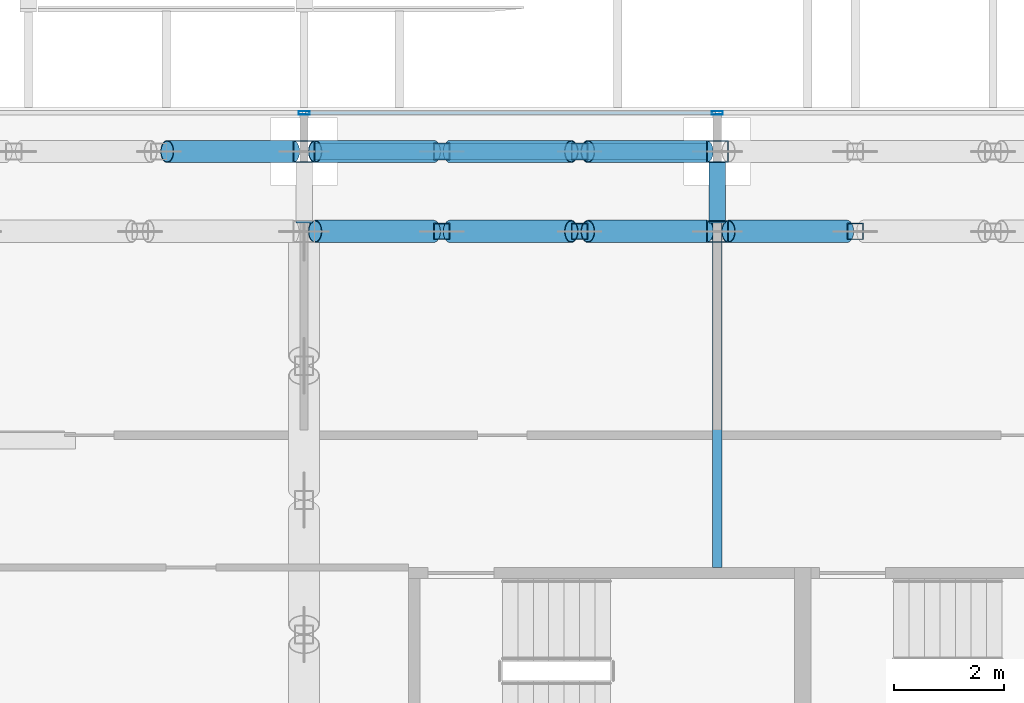
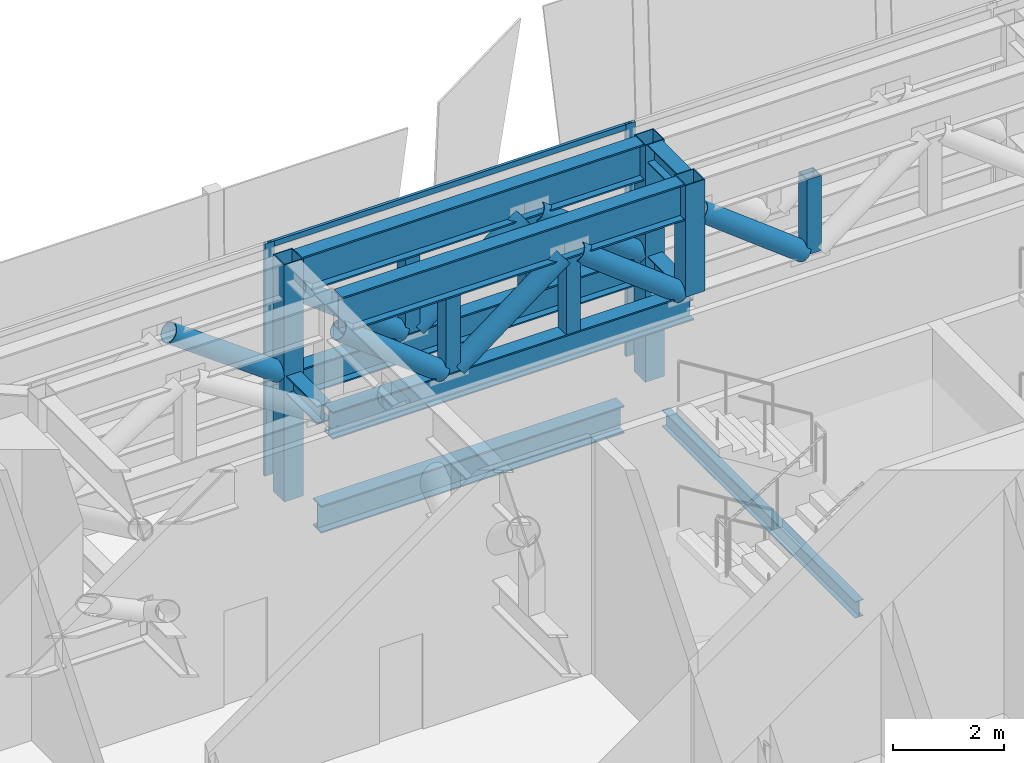
# One storey, part 20 of 39: 23 members, 5 beams, 1 element without a shape of its own.
"""IFC4 building model written with IfcOpenShell, lengths in metres."""

from ifc_helpers import new_model, si_unit, direction, frame, origin, origin_2d, place, context, subcontext, project, spatial, hollow_rectangle, hollow_circle, i_section, extrude, source, transform, mapped, material, material_profile, profile_set, type_object, element, aggregate, save


model = new_model("IFC4")

# Units and contexts
model_context = context("Model", 3, precision=1e-05, world=origin(), true_north=direction((0.0, 1.0)))
body_context = subcontext(model_context, "Body", "Model", "MODEL_VIEW")
ifc_project = project(units=[si_unit("LENGTHUNIT", "METRE"), si_unit("AREAUNIT", "SQUARE_METRE"), si_unit("VOLUMEUNIT", "CUBIC_METRE"), si_unit("PLANEANGLEUNIT", "RADIAN"), si_unit("MASSUNIT", "GRAM", prefix="KILO")], contexts=[model_context])

# Site, building, storey
site_placement = place(None, origin())
site = spatial("IfcSite", under=ifc_project, at=site_placement, CompositionType="ELEMENT")
building_placement = place(site_placement, origin())
building = spatial("IfcBuilding", under=site, at=building_placement, Name="Khomas Fold Tower", CompositionType="ELEMENT")
storey_placement = place(building_placement, frame((0.0, 0.0, 96.0)))
storey = spatial("IfcBuildingStorey", under=building, at=storey_placement, Name="L20", CompositionType="ELEMENT", Elevation=96.0)

# Beams
ifc_material_1 = material(Name="Steel S355", Category="steel")
ifc_material_profile_1 = material_profile(ifc_material_1, i_section(OverallWidth=0.169921875, OverallDepth=0.360107421875, WebThickness=0.008056640625, FlangeThickness=0.0126953125, at=origin_2d()), Name="IPE 360")
ifc_profile_set_1 = profile_set([ifc_material_profile_1], Name="Steel S355")
beam_type_1 = type_object("IfcBeamType", Name="IPE 360 beam JB2", PredefinedType="BEAM", material=ifc_profile_set_1)
shared_shape_1 = source(origin(), body_context, "Body", "SweptSolid", [
    extrude(i_section(OverallWidth=0.169921875, OverallDepth=0.360107421875, WebThickness=0.008056640625, FlangeThickness=0.0126953125, at=origin_2d()), origin(), (0.0, 0.0, 1.0), 6.9501953125),
])
beam_1_placement = place(storey_placement, frame((19.5, 45.64990234375, -0.580078125), z_axis=(0.0, 1.0, 0.0), x_axis=(-1.0, 0.0, 0.0)))
element("IfcBeam", 1, at=beam_1_placement, inside=storey, type_object=beam_type_1, Name="JB2", PredefinedType="BEAM", context=body_context, shape_type="MappedRepresentation", body=[
    mapped(shared_shape_1, transform((0.0, 0.0, 0.0))),
])
ifc_material_2 = material(Name="Steel S355", Category="steel")
ifc_material_profile_2 = material_profile(ifc_material_2, i_section(OverallWidth=0.300048828125, OverallDepth=0.60009765625, WebThickness=0.015380859375, FlangeThickness=0.030029296875, at=origin_2d()), Name="HE 600 B")
ifc_profile_set_2 = profile_set([ifc_material_profile_2], Name="Steel S355")
beam_type_2 = type_object("IfcBeamType", Name="HE 600 B spandrel SB1", PredefinedType="SPANDREL", material=ifc_profile_set_2)
shared_shape_2 = source(origin(), body_context, "Body", "SweptSolid", [
    extrude(i_section(OverallWidth=0.300048828125, OverallDepth=0.60009765625, WebThickness=0.015380859375, FlangeThickness=0.030029296875, at=origin_2d()), origin(), (0.0, 0.0, 1.0), 6.2998046875),
])
beam_2_placement = place(storey_placement, frame((12.60009765625, 53.199951171875, -0.699951171875), z_axis=(1.0, 0.0, 0.0), x_axis=(0.0, 1.0, 0.0)))
element("IfcBeam", 2, at=beam_2_placement, inside=storey, type_object=beam_type_2, Name="SB1", PredefinedType="SPANDREL", context=body_context, shape_type="MappedRepresentation", body=[
    mapped(shared_shape_2, transform((0.0, 0.0, 0.0))),
])

# Members
ifc_material_3 = material(Name="Steel S355", Category="steel")
ifc_material_profile_3 = material_profile(ifc_material_3, i_section(OverallWidth=0.300048828125, OverallDepth=0.60009765625, WebThickness=0.015380859375, FlangeThickness=0.030029296875, at=origin_2d()), Name="HE 600 B")
ifc_profile_set_3 = profile_set([ifc_material_profile_3], Name="Steel S355")
member_type_1 = type_object("IfcMemberType", Name="BELT TRUSS 1 BOTTOM CHORD HE 600 B", PredefinedType="CHORD", material=ifc_profile_set_3)
shared_shape_3 = source(origin(), body_context, "Body", "SweptSolid", [
    extrude(i_section(OverallWidth=0.300048828125, OverallDepth=0.60009765625, WebThickness=0.015380859375, FlangeThickness=0.030029296875, at=origin_2d()), origin(), (0.0, 0.0, 1.0), 7.5),
])
member_1_placement = place(storey_placement, frame((19.5, 51.75, 2.449951171875), z_axis=(-1.0, 0.0, 0.0), x_axis=(0.0, -1.0, 0.0)))
element("IfcMember", 3, at=member_1_placement, inside=storey, type_object=member_type_1, Name="BT1-CB", PredefinedType="CHORD", context=body_context, shape_type="MappedRepresentation", body=[
    mapped(shared_shape_3, transform((0.0, 0.0, 0.0))),
])
ifc_material_4 = material(Name="Steel S355", Category="steel")
ifc_material_profile_4 = material_profile(ifc_material_4, hollow_circle(Radius=0.203125, WallThickness=0.01611328125, at=origin_2d()), Name="CHS 406.4x16")
ifc_profile_set_4 = profile_set([ifc_material_profile_4], Name="Steel S355")
member_type_2 = type_object("IfcMemberType", Name="BELT TRUSS 1 DIAGONAL CHS 406.4x16", PredefinedType="BRACE", material=ifc_profile_set_4)
shared_shape_4 = source(origin(), body_context, "Body", "SweptSolid", [
    extrude(hollow_circle(Radius=0.203125, WallThickness=0.01611328125, at=origin_2d()), origin(), (0.0, 0.0, 1.0), 2.822998046875),
])
member_2_placement = place(storey_placement, frame((11.800048828125, 53.199951171875, 2.7451171875), z_axis=(-0.808866956084, 0.0, 0.587991706876), x_axis=(0.0, -1.0, 0.0)))
element("IfcMember", 4, at=member_2_placement, inside=storey, type_object=member_type_2, Name="BT1-D", PredefinedType="BRACE", context=body_context, shape_type="MappedRepresentation", body=[
    mapped(shared_shape_4, transform((0.0, 0.0, 0.0))),
])
ifc_material_5 = material(Name="Steel S355", Category="steel")
ifc_material_profile_5 = material_profile(ifc_material_5, hollow_rectangle(XDim=0.300048828125, YDim=0.300048828125, WallThickness=0.01611328125, at=origin_2d()), Name="SHS 300x300x16")
ifc_profile_set_5 = profile_set([ifc_material_profile_5], Name="Steel S355")
member_type_3 = type_object("IfcMemberType", Name="BELT TRUSS 1 MID POST SHS 300x300x16", PredefinedType="POST", material=ifc_profile_set_5)
shared_shape_5 = source(origin(), body_context, "Body", "SweptSolid", [
    extrude(hollow_rectangle(XDim=0.300048828125, YDim=0.300048828125, WallThickness=0.01611328125, at=origin_2d()), origin(), (0.0, 0.0, 1.0), 1.64990234375),
])
for number, where, z_axis, x_axis, name in (
    (5, (17.0, 53.199951171875, 2.75), (0.0, 0.0, 1.0), (1.0, 0.0, 0.0), "BT1-M"),
    (6, (14.5, 53.199951171875, 2.75), (0.0, 0.0, 1.0), (1.0, 0.0, 0.0), "BT1-M"),
    (7, (22.0, 51.75, 2.75), (0.0, 0.0, 1.0), (1.0, 0.0, 0.0), "BT1-M"),
    (8, (17.0, 51.75, 2.75), (0.0, 0.0, 1.0), (1.0, 0.0, 0.0), "BT1-M"),
    (9, (14.5, 51.75, 2.75), (0.0, 0.0, 1.0), (1.0, 0.0, 0.0), "BT1-M"),
):
    element("IfcMember", number, at=place(storey_placement, frame(where, z_axis=z_axis, x_axis=x_axis)), inside=storey, type_object=member_type_3, Name=name, PredefinedType="POST", context=body_context, shape_type="MappedRepresentation", body=[
        mapped(shared_shape_5, transform((0.0, 0.0, 0.0))),
    ])
ifc_material_6 = material(Name="Steel S460M", Category="steel")
ifc_material_profile_6 = material_profile(ifc_material_6, i_section(OverallWidth=0.300048828125, OverallDepth=0.800048828125, WebThickness=0.017578125, FlangeThickness=0.032958984375, at=origin_2d()), Name="HE 800 B")
ifc_profile_set_6 = profile_set([ifc_material_profile_6], Name="Steel S460M")
member_type_4 = type_object("IfcMemberType", Name="BELT TRUSS 1 TOP CHORD HE 800 B", PredefinedType="CHORD", material=ifc_profile_set_6)
shared_shape_6 = source(origin(), body_context, "Body", "SweptSolid", [
    extrude(i_section(OverallWidth=0.300048828125, OverallDepth=0.800048828125, WebThickness=0.017578125, FlangeThickness=0.032958984375, at=origin_2d()), origin(), (0.0, 0.0, 1.0), 7.10009765625),
])
for number, where, z_axis, x_axis, name in (
    (10, (19.300048828125, 53.199951171875, 4.800048828125), (-1.0, 0.0, 0.0), (0.0, -1.0, 0.0), "BT1-CT"),
    (11, (19.300048828125, 51.75, 4.800048828125), (-1.0, 0.0, 0.0), (0.0, -1.0, 0.0), "BT1-CT"),
):
    element("IfcMember", number, at=place(storey_placement, frame(where, z_axis=z_axis, x_axis=x_axis)), inside=storey, type_object=member_type_4, Name=name, PredefinedType="CHORD", context=body_context, shape_type="MappedRepresentation", body=[
        mapped(shared_shape_6, transform((0.0, 0.0, 0.0))),
    ])
shared_shape_7 = source(origin(), body_context, "Body", "SweptSolid", [
    extrude(i_section(OverallWidth=0.300048828125, OverallDepth=0.60009765625, WebThickness=0.015380859375, FlangeThickness=0.030029296875, at=origin_2d()), origin(), (0.0, 0.0, 1.0), 7.10009765625),
])
member_3_placement = place(storey_placement, frame((19.300048828125, 53.199951171875, 2.449951171875), z_axis=(-1.0, 0.0, 0.0), x_axis=(0.0, -1.0, 0.0)))
element("IfcMember", 12, at=member_3_placement, inside=storey, type_object=member_type_1, Name="BT1-CB", PredefinedType="CHORD", context=body_context, shape_type="MappedRepresentation", body=[
    mapped(shared_shape_7, transform((0.0, 0.0, 0.0))),
])
shared_shape_8 = source(origin(), body_context, "Body", "SweptSolid", [
    extrude(hollow_circle(Radius=0.203125, WallThickness=0.01611328125, at=origin_2d()), origin(), (0.0, 0.0, 1.0), 2.71630859375),
])
for number, where, z_axis, x_axis, name in (
    (13, (19.300048828125, 53.199951171875, 2.7451171875), (-0.791563625226, 0.0, 0.611086759159), (0.0, -1.0, 0.0), "BT1-D"),
    (14, (14.35009765625, 53.199951171875, 2.7451171875), (-0.791563625226, 0.0, 0.611086759159), (0.0, -1.0, 0.0), "BT1-D"),
    (15, (21.85009765625, 51.75, 2.7451171875), (-0.791563625226, 0.0, 0.611086759159), (0.0, -1.0, 0.0), "BT1-D"),
    (16, (19.300048828125, 51.75, 2.7451171875), (-0.791563625226, 0.0, 0.611086759159), (0.0, -1.0, 0.0), "BT1-D"),
    (17, (14.35009765625, 51.75, 2.7451171875), (-0.791563625226, 0.0, 0.611086759159), (0.0, -1.0, 0.0), "BT1-D"),
):
    element("IfcMember", number, at=place(storey_placement, frame(where, z_axis=z_axis, x_axis=x_axis)), inside=storey, type_object=member_type_2, Name=name, PredefinedType="BRACE", context=body_context, shape_type="MappedRepresentation", body=[
        mapped(shared_shape_8, transform((0.0, 0.0, 0.0))),
    ])
shared_shape_9 = source(origin(), body_context, "Body", "SweptSolid", [
    extrude(hollow_circle(Radius=0.203125, WallThickness=0.01611328125, at=origin_2d()), origin(), (0.0, 0.0, 1.0), 2.756103515625),
])
for number, where, z_axis, x_axis, name in (
    (18, (16.85009765625, 53.199951171875, 4.405029296875), (-0.798296022167, 0.0, -0.602265274602), (0.0, -1.0, 0.0), "BT1-D"),
    (19, (16.85009765625, 51.75, 4.405029296875), (-0.798296022167, 0.0, -0.602265274602), (0.0, -1.0, 0.0), "BT1-D"),
):
    element("IfcMember", number, at=place(storey_placement, frame(where, z_axis=z_axis, x_axis=x_axis)), inside=storey, type_object=member_type_2, Name=name, PredefinedType="BRACE", context=body_context, shape_type="MappedRepresentation", body=[
        mapped(shared_shape_9, transform((0.0, 0.0, 0.0))),
    ])
ifc_material_7 = material(Name="Steel S460M", Category="steel")
ifc_material_profile_7 = material_profile(ifc_material_7, hollow_rectangle(XDim=0.39990234375, YDim=0.39990234375, WallThickness=0.02001953125, at=origin_2d()), Name="SHS 400x400x20")
ifc_profile_set_7 = profile_set([ifc_material_profile_7], Name="Steel S460M")
member_type_5 = type_object("IfcMemberType", Name="BELT TRUSS 1 COLUMN POST LONG SHS 400x400x20", PredefinedType="POST", material=ifc_profile_set_7)
shared_shape_10 = source(origin(), body_context, "Body", "SweptSolid", [
    extrude(hollow_rectangle(XDim=0.39990234375, YDim=0.39990234375, WallThickness=0.02001953125, at=origin_2d()), origin(), (0.0, 0.0, 1.0), 5.199951171875),
])
for number, where, z_axis, x_axis, name in (
    (20, (19.5, 53.199951171875, 0.0), (0.0, 0.0, 1.0), (1.0, 0.0, 0.0), "BT1-PL"),
    (21, (12.0, 53.199951171875, 0.0), (0.0, 0.0, 1.0), (1.0, 0.0, 0.0), "BT1-PL"),
):
    element("IfcMember", number, at=place(storey_placement, frame(where, z_axis=z_axis, x_axis=x_axis)), inside=storey, type_object=member_type_5, Name=name, PredefinedType="POST", context=body_context, shape_type="MappedRepresentation", body=[
        mapped(shared_shape_10, transform((0.0, 0.0, 0.0))),
    ])
ifc_material_8 = material(Name="Steel S460M", Category="steel")
ifc_material_profile_8 = material_profile(ifc_material_8, hollow_rectangle(XDim=0.39990234375, YDim=0.39990234375, WallThickness=0.02001953125, at=origin_2d()), Name="SHS 400x400x20")
ifc_profile_set_8 = profile_set([ifc_material_profile_8], Name="Steel S460M")
member_type_6 = type_object("IfcMemberType", Name="BELT TRUSS 1 COLUMN POST SHS 400x400x20", PredefinedType="POST", material=ifc_profile_set_8)
shared_shape_11 = source(origin(), body_context, "Body", "SweptSolid", [
    extrude(hollow_rectangle(XDim=0.39990234375, YDim=0.39990234375, WallThickness=0.02001953125, at=origin_2d()), origin(), (0.0, 0.0, 1.0), 2.449951171875),
])
member_4_placement = place(storey_placement, frame((19.5, 51.75, 2.75), z_axis=(0.0, 0.0, 1.0), x_axis=(1.0, 0.0, 0.0)))
element("IfcMember", 22, at=member_4_placement, inside=storey, type_object=member_type_6, Name="BT1-P", PredefinedType="POST", context=body_context, shape_type="MappedRepresentation", body=[
    mapped(shared_shape_11, transform((0.0, 0.0, 0.0))),
])

# Beams
ifc_material_9 = material(Name="Steel S355", Category="steel")
ifc_material_profile_9 = material_profile(ifc_material_9, i_section(OverallWidth=0.300048828125, OverallDepth=0.39990234375, WebThickness=0.013427734375, FlangeThickness=0.02392578125, at=origin_2d()), Name="HE 400 B")
ifc_profile_set_9 = profile_set([ifc_material_profile_9], Name="Steel S355")
beam_type_3 = type_object("IfcBeamType", Name="BELT TRUSS 1 TOP STRUT HE 400 B", PredefinedType="BEAM", material=ifc_profile_set_9)
shared_shape_12 = source(origin(), body_context, "Body", "SweptSolid", [
    extrude(i_section(OverallWidth=0.300048828125, OverallDepth=0.39990234375, WebThickness=0.013427734375, FlangeThickness=0.02392578125, at=origin_2d()), origin(), (0.0, 0.0, 1.0), 1.050048828125),
])
beam_3_placement = place(storey_placement, frame((19.5, 51.949951171875, 5.0), z_axis=(0.0, 1.0, 0.0), x_axis=(-1.0, 0.0, 0.0)))
element("IfcBeam", 23, at=beam_3_placement, inside=storey, type_object=beam_type_3, Name="BT1-ST", PredefinedType="BEAM", context=body_context, shape_type="MappedRepresentation", body=[
    mapped(shared_shape_12, transform((0.0, 0.0, 0.0))),
])
ifc_material_10 = material(Name="Steel S355", Category="steel")
ifc_material_profile_10 = material_profile(ifc_material_10, i_section(OverallWidth=0.300048828125, OverallDepth=0.39990234375, WebThickness=0.013427734375, FlangeThickness=0.02392578125, at=origin_2d()), Name="HE 400 B")
ifc_profile_set_10 = profile_set([ifc_material_profile_10], Name="Steel S355")
beam_type_4 = type_object("IfcBeamType", Name="BELT TRUSS 1 BOTTOM STRUT HE 400 B", PredefinedType="BEAM", material=ifc_profile_set_10)
shared_shape_13 = source(origin(), body_context, "Body", "SweptSolid", [
    extrude(i_section(OverallWidth=0.300048828125, OverallDepth=0.39990234375, WebThickness=0.013427734375, FlangeThickness=0.02392578125, at=origin_2d()), origin(), (0.0, 0.0, 1.0), 1.10009765625),
])
for number, where, z_axis, x_axis, name in (
    (24, (12.0, 51.89990234375, 2.550048828125), (0.0, 1.0, 0.0), (-1.0, 0.0, 0.0), "BT1-SB"),
    (25, (19.5, 51.89990234375, 2.550048828125), (0.0, 1.0, 0.0), (-1.0, 0.0, 0.0), "BT1-SB"),
):
    element("IfcBeam", number, at=place(storey_placement, frame(where, z_axis=z_axis, x_axis=x_axis)), inside=storey, type_object=beam_type_4, Name=name, PredefinedType="BEAM", context=body_context, shape_type="MappedRepresentation", body=[
        mapped(shared_shape_13, transform((0.0, 0.0, 0.0))),
    ])

# Curtain wall, members
ifc_material_11 = material(Name="Aluminium framed double glazing", Category="aluminium")
curtain_wall_type = type_object("IfcCurtainWallType", Name="SK-Plant louvre wall CW4", PredefinedType="NOTDEFINED", material=ifc_material_11)
curtain_wall_placement = place(storey_placement, origin())
curtain_wall = element("IfcCurtainWall", 26, at=curtain_wall_placement, inside=storey, type_object=curtain_wall_type, Name="CW4 run L20 06-0", PredefinedType="NOTDEFINED")
ifc_material_12 = material(Name="Aluminium", Category="aluminium")
ifc_material_profile_11 = material_profile(ifc_material_12, hollow_rectangle(XDim=0.06005859375, YDim=0.199951171875, WallThickness=0.00390625, at=origin_2d()), Name="SK-Plant louvre wall mullion CW4-M")
ifc_profile_set_11 = profile_set([ifc_material_profile_11], Name="Aluminium")
member_type_7 = type_object("IfcMemberType", Name="SK-Plant louvre wall mullion CW4-M", PredefinedType="MULLION", material=ifc_profile_set_11)
shared_shape_14 = source(origin(), body_context, "Body", "SweptSolid", [
    extrude(hollow_rectangle(XDim=0.06005859375, YDim=0.199951171875, WallThickness=0.00390625, at=origin_2d()), origin(), (0.0, 0.0, 1.0), 5.10009765625),
])
member_5_placement = place(storey_placement, frame((19.5, 53.89990234375, 0.0), z_axis=(0.0, 0.0, 1.0), x_axis=(0.0, -1.0, 0.0)))
member_5 = element("IfcMember", 27, at=member_5_placement, type_object=member_type_7, Name="CW4 mullion 6", PredefinedType="MULLION", context=body_context, shape_type="MappedRepresentation", body=[
    mapped(shared_shape_14, transform((0.0, 0.0, 0.0))),
])
member_6_placement = place(storey_placement, frame((12.0, 53.89990234375, 0.0), z_axis=(0.0, 0.0, 1.0), x_axis=(0.0, -1.0, 0.0)))
member_6 = element("IfcMember", 28, at=member_6_placement, type_object=member_type_7, Name="CW4 mullion 7", PredefinedType="MULLION", context=body_context, shape_type="MappedRepresentation", body=[
    mapped(shared_shape_14, transform((0.0, 0.0, 0.0))),
])
ifc_material_13 = material(Name="Aluminium", Category="aluminium")
ifc_material_profile_12 = material_profile(ifc_material_13, hollow_rectangle(XDim=0.06005859375, YDim=0.1201171875, WallThickness=0.00390625, at=origin_2d()), Name="SK-Plant louvre wall transom CW4-T")
ifc_profile_set_12 = profile_set([ifc_material_profile_12], Name="Aluminium")
member_type_8 = type_object("IfcMemberType", Name="SK-Plant louvre wall transom CW4-T", PredefinedType="USERDEFINED", material=ifc_profile_set_12)
shared_shape_15 = source(origin(), body_context, "Body", "SweptSolid", [
    extrude(hollow_rectangle(XDim=0.06005859375, YDim=0.1201171875, WallThickness=0.00390625, at=origin_2d()), origin(), (0.0, 0.0, 1.0), 7.43994140625),
])
member_7_placement = place(storey_placement, frame((19.469970703125, 53.89990234375, 5.0400390625), z_axis=(-1.0, 0.0, 0.0), x_axis=(0.0, -1.0, 0.0)))
member_7 = element("IfcMember", 29, at=member_7_placement, type_object=member_type_8, Name="CW4 transom 6", ObjectType="TRANSOM", PredefinedType="USERDEFINED", context=body_context, shape_type="MappedRepresentation", body=[
    mapped(shared_shape_15, transform((0.0, 0.0, 0.0))),
])
aggregate(curtain_wall, [member_5, member_6, member_7])

save(model, "model.ifc")
